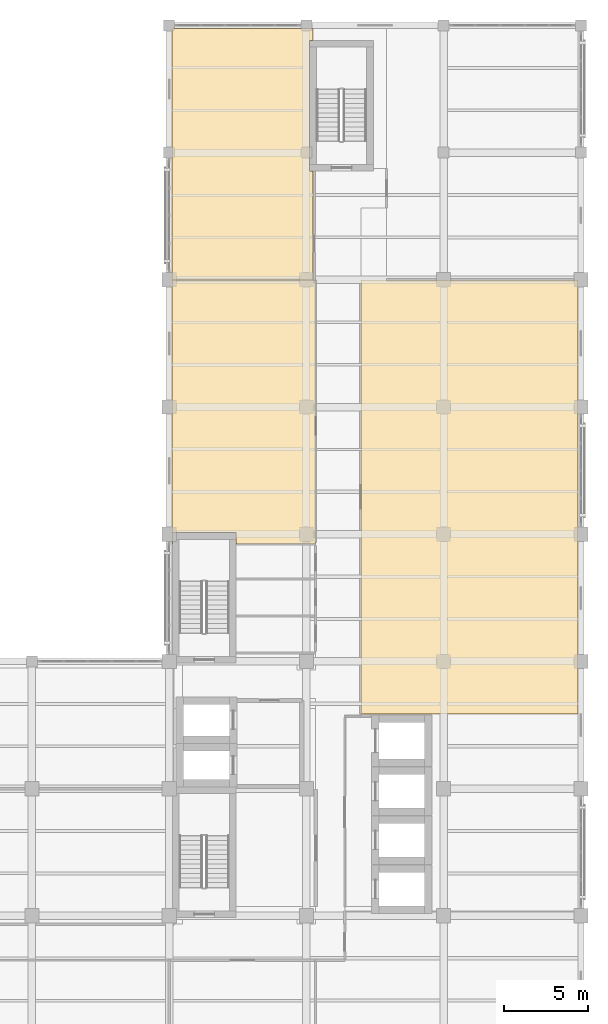
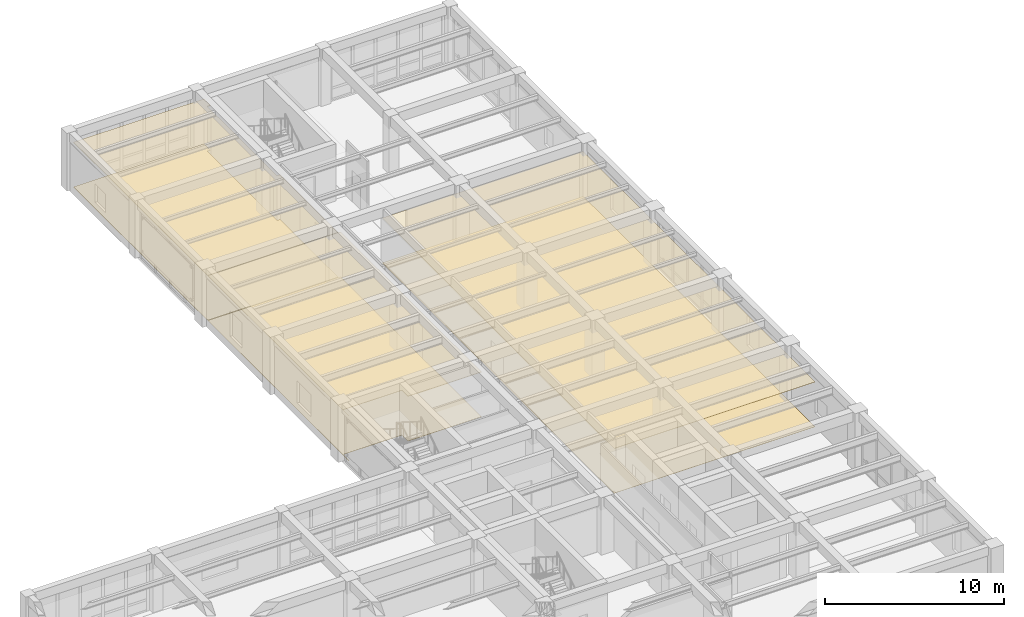
# One storey, part 15 of 16: 6 coverings.
"""IFC4 building model written with IfcOpenShell, lengths in metres."""

from ifc_helpers import new_model, si_unit, direction, frame, origin, place, context, subcontext, project, spatial, polyline, outline, extrude, material, layer, layer_set, type_object, element, save


model = new_model("IFC4")

# Units and contexts
model_context = context("Model", 3, precision=1e-05, world=origin(), true_north=direction((0.0, 1.0)))
body_context = subcontext(model_context, "Body", "Model", "MODEL_VIEW")
ifc_project = project(units=[si_unit("LENGTHUNIT", "METRE"), si_unit("AREAUNIT", "SQUARE_METRE"), si_unit("VOLUMEUNIT", "CUBIC_METRE"), si_unit("PLANEANGLEUNIT", "RADIAN"), si_unit("MASSUNIT", "GRAM", prefix="KILO")], contexts=[model_context])

# Site, building, storey
site_placement = place(None, origin())
site = spatial("IfcSite", under=ifc_project, at=site_placement, CompositionType="ELEMENT")
building_placement = place(site_placement, origin())
building = spatial("IfcBuilding", under=site, at=building_placement, Name="Qandaris Square Conservatory and Botanical Centre", CompositionType="ELEMENT")
storey_placement = place(building_placement, frame((0.0, 0.0, 24.0)))
storey = spatial("IfcBuildingStorey", under=building, at=storey_placement, Name="L05", CompositionType="ELEMENT", Elevation=24.0)

# Coverings
ifc_material_1 = material(Name="Honed Qatari Limestone", Category="masonry")
ifc_layer_1 = layer(ifc_material_1, 0.030029296875)
ifc_layer_set_1 = layer_set([ifc_layer_1], Name="Honed Qatari Limestone")
covering_type_1 = type_object("IfcCoveringType", Name="Honed Qatari Limestone Concourse Paving", PredefinedType="FLOORING", material=ifc_layer_set_1)
covering_1_placement = place(storey_placement, origin())
element("IfcCovering", 1, at=covering_1_placement, inside=storey, type_object=covering_type_1, Name="Plant Physiology Collaborative Seminar Room Flooring", PredefinedType="FLOORING", context=body_context, shape_type="SweptSolid", body=[
    extrude(outline(polyline([(147.800048828125, 76.5), (147.60009765625, 76.5), (147.60009765625, 68.699951171875), (147.800048828125, 68.699951171875), (147.800048828125, 62.199951171875), (139.3798828125, 62.199951171875), (139.3798828125, 77.219970703125), (147.800048828125, 77.219970703125), (147.800048828125, 76.5)])), origin(), (0.0, 0.0, 1.0), 0.030029296875),
])
ifc_material_2 = material(Name="Gypsum Plasterboard", Category="gypsum")
ifc_layer_2 = layer(ifc_material_2, 0.02490234375)
ifc_layer_set_2 = layer_set([ifc_layer_2], Name="Gypsum Plasterboard")
covering_type_2 = type_object("IfcCoveringType", Name="Perforated Acoustic Lab Ceiling Tile", PredefinedType="CEILING", material=ifc_layer_set_2)
covering_2_placement = place(storey_placement, frame((0.0, 0.0, 3.050048828125)))
element("IfcCovering", 2, at=covering_2_placement, inside=storey, type_object=covering_type_2, Name="Desert Mycology Analytical Laboratory Ceiling", PredefinedType="CEILING", context=body_context, shape_type="SweptSolid", body=[
    extrude(outline(polyline([(150.64990234375, 62.199951171875), (163.6201171875, 62.199951171875), (163.6201171875, 36.25), (150.64990234375, 36.25), (150.64990234375, 62.199951171875)])), origin(), (0.0, 0.0, 1.0), 0.02490234375),
])
covering_3_placement = place(storey_placement, frame((0.0, 0.0, 3.050048828125)))
element("IfcCovering", 3, at=covering_3_placement, inside=storey, type_object=covering_type_2, Name="Sabkha Ecology Specimen Prep Room Ceiling", PredefinedType="CEILING", context=body_context, shape_type="SweptSolid", body=[
    extrude(outline(polyline([(147.949951171875, 46.419921875), (143.199951171875, 46.419921875), (143.199951171875, 47.10009765625), (139.39990234375, 47.10009765625), (139.39990234375, 46.419921875), (139.3798828125, 46.419921875), (139.3798828125, 62.199951171875), (147.949951171875, 62.199951171875), (147.949951171875, 46.419921875)])), origin(), (0.0, 0.0, 1.0), 0.02490234375),
])
ifc_material_3 = material(Name="Epoxy Resin Screed", Category="finish")
ifc_layer_3 = layer(ifc_material_3, 0.014892578125)
ifc_layer_set_3 = layer_set([ifc_layer_3], Name="Epoxy Resin Screed")
covering_type_3 = type_object("IfcCoveringType", Name="Seamless Epoxy Laboratory Flooring", PredefinedType="FLOORING", material=ifc_layer_set_3)
covering_4_placement = place(storey_placement, origin())
element("IfcCovering", 4, at=covering_4_placement, inside=storey, type_object=covering_type_3, Name="Desert Mycology Analytical Laboratory Flooring", PredefinedType="FLOORING", context=body_context, shape_type="SweptSolid", body=[
    extrude(outline(polyline([(150.64990234375, 62.199951171875), (163.6201171875, 62.199951171875), (163.6201171875, 36.25), (150.64990234375, 36.25), (150.64990234375, 62.199951171875)])), origin(), (0.0, 0.0, 1.0), 0.014892578125),
])
covering_5_placement = place(storey_placement, origin())
element("IfcCovering", 5, at=covering_5_placement, inside=storey, type_object=covering_type_3, Name="Sabkha Ecology Specimen Prep Room Flooring", PredefinedType="FLOORING", context=body_context, shape_type="SweptSolid", body=[
    extrude(outline(polyline([(147.949951171875, 46.419921875), (143.199951171875, 46.419921875), (143.199951171875, 47.10009765625), (139.39990234375, 47.10009765625), (139.39990234375, 46.419921875), (139.3798828125, 46.419921875), (139.3798828125, 62.199951171875), (147.949951171875, 62.199951171875), (147.949951171875, 46.419921875)])), origin(), (0.0, 0.0, 1.0), 0.014892578125),
])
ifc_material_4 = material(Name="Engineered Oak Timber", Category="wood")
ifc_layer_4 = layer(ifc_material_4, 0.0400390625)
ifc_layer_set_4 = layer_set([ifc_layer_4], Name="Engineered Oak Timber")
covering_type_4 = type_object("IfcCoveringType", Name="Slatted Oak Acoustic Gallery Ceiling", PredefinedType="CEILING", material=ifc_layer_set_4)
covering_6_placement = place(storey_placement, frame((0.0, 0.0, 3.050048828125)))
element("IfcCovering", 6, at=covering_6_placement, inside=storey, type_object=covering_type_4, Name="Plant Physiology Collaborative Seminar Room Ceiling", PredefinedType="CEILING", context=body_context, shape_type="SweptSolid", body=[
    extrude(outline(polyline([(147.800048828125, 76.5), (147.60009765625, 76.5), (147.60009765625, 68.699951171875), (147.800048828125, 68.699951171875), (147.800048828125, 62.199951171875), (139.3798828125, 62.199951171875), (139.3798828125, 77.219970703125), (147.800048828125, 77.219970703125), (147.800048828125, 76.5)])), origin(), (0.0, 0.0, 1.0), 0.0400390625),
])

save(model, "model.ifc")
